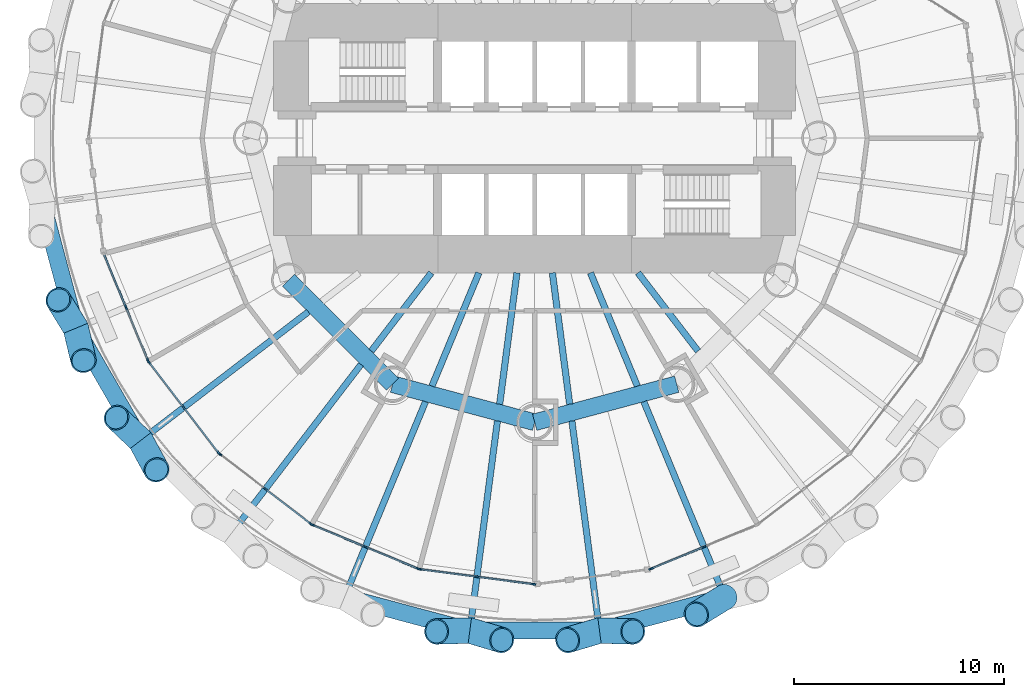
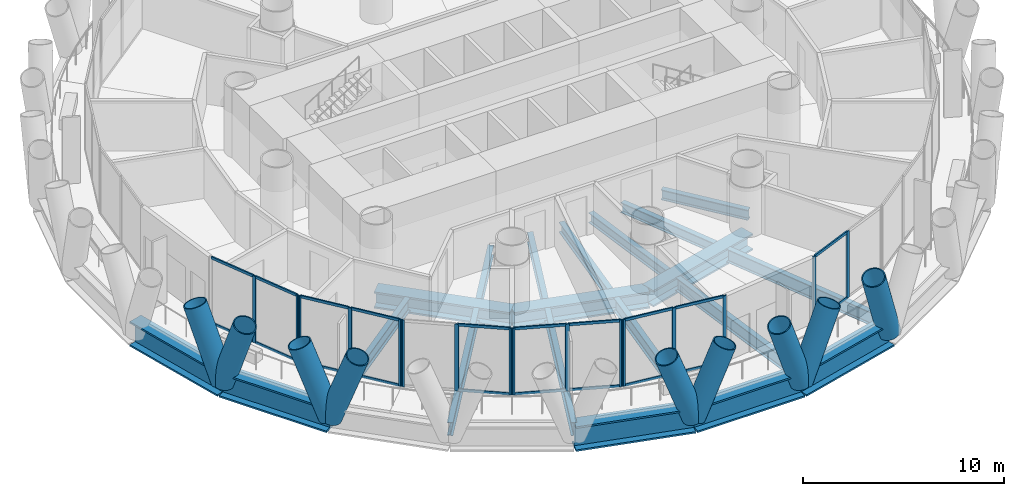
# One storey, part 2 of 15: 45 members, 20 beams, 6 elements without a shape of their own.
"""IFC4 building model written with IfcOpenShell, lengths in metres."""

from ifc_helpers import new_model, si_unit, direction, frame, origin, origin_2d, place, context, subcontext, project, spatial, rectangle, hollow_circle, i_section, extrude, material, material_profile, profile_set, type_object, element, aggregate, save


model = new_model("IFC4")

# Units and contexts
model_context = context("Model", 3, precision=1e-05, world=origin(), true_north=direction((0.0, 1.0)))
body_context = subcontext(model_context, "Body", "Model", "MODEL_VIEW")
ifc_project = project(units=[si_unit("LENGTHUNIT", "METRE"), si_unit("AREAUNIT", "SQUARE_METRE"), si_unit("VOLUMEUNIT", "CUBIC_METRE"), si_unit("PLANEANGLEUNIT", "RADIAN"), si_unit("MASSUNIT", "GRAM", prefix="KILO")], contexts=[model_context])

# Site, building, storey
site_placement = place(None, origin())
site = spatial("IfcSite", under=ifc_project, at=site_placement, CompositionType="ELEMENT")
building_placement = place(site_placement, origin())
building = spatial("IfcBuilding", under=site, at=building_placement, Name="Qaws Media Tower", CompositionType="ELEMENT")
storey_placement = place(building_placement, frame((0.0, 0.0, 34.39990234375)))
storey = spatial("IfcBuildingStorey", under=building, at=storey_placement, Name="L06", CompositionType="ELEMENT", Elevation=34.39990234375)

# Curtain wall, members
ifc_material_1 = material(Name="Aluminium and clear glass", Category="aluminium")
curtain_wall_type = type_object("IfcCurtainWallType", Name="Unitised curtain wall CW-A", PredefinedType="NOTDEFINED", material=ifc_material_1)
curtain_wall_1_placement = place(storey_placement, origin())
curtain_wall_1 = element("IfcCurtainWall", 1, at=curtain_wall_1_placement, inside=storey, type_object=curtain_wall_type, Name="CWA curtain wall L06-14", PredefinedType="NOTDEFINED")
ifc_material_2 = material(Name="Aluminium mullion", Category="aluminium")
ifc_material_profile_1 = material_profile(ifc_material_2, rectangle(XDim=0.080078125, YDim=0.199951171875, at=origin_2d()), Name="80x200")
ifc_profile_set_1 = profile_set([ifc_material_profile_1], Name="Aluminium mullion")
member_type_1 = type_object("IfcMemberType", Name="Curtain wall mullion 80x200", PredefinedType="MULLION", material=ifc_profile_set_1)
member_1_placement = place(storey_placement, frame((40.581298828125, 41.95654296875, 0.0), z_axis=(0.0, 0.0, 1.0), x_axis=(0.923879523321, 0.382683454553, 0.0)))
member_1 = element("IfcMember", 2, at=member_1_placement, type_object=member_type_1, Name="CWA mullion 2", PredefinedType="MULLION", context=body_context, shape_type="SweptSolid", body=[
    extrude(rectangle(XDim=0.080078125, YDim=0.199951171875, at=origin_2d()), origin(), (0.0, 0.0, 1.0), 4.0400390625),
])
member_2_placement = place(storey_placement, frame((41.625, 39.43701171875, 0.0), z_axis=(0.0, 0.0, 1.0), x_axis=(0.923879523321, 0.382683454553, 0.0)))
member_2 = element("IfcMember", 3, at=member_2_placement, type_object=member_type_1, Name="CWA mullion 3", PredefinedType="MULLION", context=body_context, shape_type="SweptSolid", body=[
    extrude(rectangle(XDim=0.080078125, YDim=0.199951171875, at=origin_2d()), origin(), (0.0, 0.0, 1.0), 4.0400390625),
])

curtain_wall_2_placement = place(storey_placement, origin())
curtain_wall_2 = element("IfcCurtainWall", 4, at=curtain_wall_2_placement, inside=storey, type_object=curtain_wall_type, Name="CWA curtain wall L06-15", PredefinedType="NOTDEFINED")
member_3_placement = place(storey_placement, frame((41.66455078125, 39.3681640625, 0.0), z_axis=(0.0, 0.0, 1.0), x_axis=(0.793353338751, 0.608761431016, 0.0)))
member_3 = element("IfcMember", 5, at=member_3_placement, type_object=member_type_1, Name="CWA mullion 1", PredefinedType="MULLION", context=body_context, shape_type="SweptSolid", body=[
    extrude(rectangle(XDim=0.080078125, YDim=0.199951171875, at=origin_2d()), origin(), (0.0, 0.0, 1.0), 4.0400390625),
])
member_4_placement = place(storey_placement, frame((43.32470703125, 37.20458984375, 0.0), z_axis=(0.0, 0.0, 1.0), x_axis=(0.793353338751, 0.608761431016, 0.0)))
member_4 = element("IfcMember", 6, at=member_4_placement, type_object=member_type_1, Name="CWA mullion 2", PredefinedType="MULLION", context=body_context, shape_type="SweptSolid", body=[
    extrude(rectangle(XDim=0.080078125, YDim=0.199951171875, at=origin_2d()), origin(), (0.0, 0.0, 1.0), 4.0400390625),
])
member_5_placement = place(storey_placement, frame((44.985107421875, 35.041015625, 0.0), z_axis=(0.0, 0.0, 1.0), x_axis=(0.793353338751, 0.608761431016, 0.0)))
member_5 = element("IfcMember", 7, at=member_5_placement, type_object=member_type_1, Name="CWA mullion 3", PredefinedType="MULLION", context=body_context, shape_type="SweptSolid", body=[
    extrude(rectangle(XDim=0.080078125, YDim=0.199951171875, at=origin_2d()), origin(), (0.0, 0.0, 1.0), 4.0400390625),
])

curtain_wall_3_placement = place(storey_placement, origin())
curtain_wall_3 = element("IfcCurtainWall", 8, at=curtain_wall_3_placement, inside=storey, type_object=curtain_wall_type, Name="CWA curtain wall L06-16", PredefinedType="NOTDEFINED")
member_6_placement = place(storey_placement, frame((45.041015625, 34.985107421875, 0.0), z_axis=(0.0, 0.0, 1.0), x_axis=(0.608761431016, 0.793353338751, 0.0)))
member_6 = element("IfcMember", 9, at=member_6_placement, type_object=member_type_1, Name="CWA mullion 1", PredefinedType="MULLION", context=body_context, shape_type="SweptSolid", body=[
    extrude(rectangle(XDim=0.080078125, YDim=0.199951171875, at=origin_2d()), origin(), (0.0, 0.0, 1.0), 4.0400390625),
])
member_7_placement = place(storey_placement, frame((47.20458984375, 33.32470703125, 0.0), z_axis=(0.0, 0.0, 1.0), x_axis=(0.608761431016, 0.793353338751, 0.0)))
member_7 = element("IfcMember", 10, at=member_7_placement, type_object=member_type_1, Name="CWA mullion 2", PredefinedType="MULLION", context=body_context, shape_type="SweptSolid", body=[
    extrude(rectangle(XDim=0.080078125, YDim=0.199951171875, at=origin_2d()), origin(), (0.0, 0.0, 1.0), 4.0400390625),
])
member_8_placement = place(storey_placement, frame((49.3681640625, 31.66455078125, 0.0), z_axis=(0.0, 0.0, 1.0), x_axis=(0.608761431016, 0.793353338751, 0.0)))
member_8 = element("IfcMember", 11, at=member_8_placement, type_object=member_type_1, Name="CWA mullion 3", PredefinedType="MULLION", context=body_context, shape_type="SweptSolid", body=[
    extrude(rectangle(XDim=0.080078125, YDim=0.199951171875, at=origin_2d()), origin(), (0.0, 0.0, 1.0), 4.0400390625),
])

curtain_wall_4_placement = place(storey_placement, origin())
curtain_wall_4 = element("IfcCurtainWall", 12, at=curtain_wall_4_placement, inside=storey, type_object=curtain_wall_type, Name="CWA curtain wall L06-17", PredefinedType="NOTDEFINED")
member_9_placement = place(storey_placement, frame((49.43701171875, 31.625, 0.0), z_axis=(0.0, 0.0, 1.0), x_axis=(0.382683454553, 0.923879523321, 0.0)))
member_9 = element("IfcMember", 13, at=member_9_placement, type_object=member_type_1, Name="CWA mullion 1", PredefinedType="MULLION", context=body_context, shape_type="SweptSolid", body=[
    extrude(rectangle(XDim=0.080078125, YDim=0.199951171875, at=origin_2d()), origin(), (0.0, 0.0, 1.0), 4.0400390625),
])
member_10_placement = place(storey_placement, frame((51.95654296875, 30.581298828125, 0.0), z_axis=(0.0, 0.0, 1.0), x_axis=(0.382683454553, 0.923879523321, 0.0)))
member_10 = element("IfcMember", 14, at=member_10_placement, type_object=member_type_1, Name="CWA mullion 2", PredefinedType="MULLION", context=body_context, shape_type="SweptSolid", body=[
    extrude(rectangle(XDim=0.080078125, YDim=0.199951171875, at=origin_2d()), origin(), (0.0, 0.0, 1.0), 4.0400390625),
])
member_11_placement = place(storey_placement, frame((54.47607421875, 29.53759765625, 0.0), z_axis=(0.0, 0.0, 1.0), x_axis=(0.382683454553, 0.923879523321, 0.0)))
member_11 = element("IfcMember", 15, at=member_11_placement, type_object=member_type_1, Name="CWA mullion 3", PredefinedType="MULLION", context=body_context, shape_type="SweptSolid", body=[
    extrude(rectangle(XDim=0.080078125, YDim=0.199951171875, at=origin_2d()), origin(), (0.0, 0.0, 1.0), 4.0400390625),
])

curtain_wall_5_placement = place(storey_placement, origin())
curtain_wall_5 = element("IfcCurtainWall", 16, at=curtain_wall_5_placement, inside=storey, type_object=curtain_wall_type, Name="CWA curtain wall L06-18", PredefinedType="NOTDEFINED")
member_12_placement = place(storey_placement, frame((54.552734375, 29.51708984375, 0.0), z_axis=(0.0, 0.0, 1.0), x_axis=(0.130526100786, 0.991444873411, 0.0)))
member_12 = element("IfcMember", 17, at=member_12_placement, type_object=member_type_1, Name="CWA mullion 1", PredefinedType="MULLION", context=body_context, shape_type="SweptSolid", body=[
    extrude(rectangle(XDim=0.080078125, YDim=0.199951171875, at=origin_2d()), origin(), (0.0, 0.0, 1.0), 4.0400390625),
])
member_13_placement = place(storey_placement, frame((57.256591796875, 29.1611328125, 0.0), z_axis=(0.0, 0.0, 1.0), x_axis=(0.130526100786, 0.991444873411, 0.0)))
member_13 = element("IfcMember", 18, at=member_13_placement, type_object=member_type_1, Name="CWA mullion 2", PredefinedType="MULLION", context=body_context, shape_type="SweptSolid", body=[
    extrude(rectangle(XDim=0.080078125, YDim=0.199951171875, at=origin_2d()), origin(), (0.0, 0.0, 1.0), 4.0400390625),
])
member_14_placement = place(storey_placement, frame((59.96044921875, 28.80517578125, 0.0), z_axis=(0.0, 0.0, 1.0), x_axis=(0.130526100786, 0.991444873411, 0.0)))
member_14 = element("IfcMember", 19, at=member_14_placement, type_object=member_type_1, Name="CWA mullion 3", PredefinedType="MULLION", context=body_context, shape_type="SweptSolid", body=[
    extrude(rectangle(XDim=0.080078125, YDim=0.199951171875, at=origin_2d()), origin(), (0.0, 0.0, 1.0), 4.0400390625),
])

curtain_wall_6_placement = place(storey_placement, origin())
curtain_wall_6 = element("IfcCurtainWall", 20, at=curtain_wall_6_placement, inside=storey, type_object=curtain_wall_type, Name="CWA curtain wall L06-20", PredefinedType="NOTDEFINED")
member_15_placement = place(storey_placement, frame((65.52392578125, 29.53759765625, 0.0), z_axis=(0.0, 0.0, 1.0), x_axis=(-0.382683454553, 0.923879523321, 0.0)))
member_15 = element("IfcMember", 21, at=member_15_placement, type_object=member_type_1, Name="CWA mullion 1", PredefinedType="MULLION", context=body_context, shape_type="SweptSolid", body=[
    extrude(rectangle(XDim=0.080078125, YDim=0.199951171875, at=origin_2d()), origin(), (0.0, 0.0, 1.0), 4.0400390625),
])
member_16_placement = place(storey_placement, frame((68.04345703125, 30.581298828125, 0.0), z_axis=(0.0, 0.0, 1.0), x_axis=(-0.382683454553, 0.923879523321, 0.0)))
member_16 = element("IfcMember", 22, at=member_16_placement, type_object=member_type_1, Name="CWA mullion 2", PredefinedType="MULLION", context=body_context, shape_type="SweptSolid", body=[
    extrude(rectangle(XDim=0.080078125, YDim=0.199951171875, at=origin_2d()), origin(), (0.0, 0.0, 1.0), 4.0400390625),
])

# Member
ifc_material_3 = material(Name="Aluminium transom", Category="aluminium")
ifc_material_profile_2 = material_profile(ifc_material_3, rectangle(XDim=0.080078125, YDim=0.159912109375, at=origin_2d()), Name="80x160")
ifc_profile_set_2 = profile_set([ifc_material_profile_2], Name="Aluminium transom")
member_type_2 = type_object("IfcMemberType", Name="Curtain wall transom 80x160", PredefinedType="USERDEFINED", material=ifc_profile_set_2)
member_17_placement = place(storey_placement, frame((39.552978515625, 44.439208984375, 0.0400390625), z_axis=(0.38263687271, -0.923898816777, 0.0), x_axis=(0.923898816777, 0.38263687271, 0.0)))
member_17 = element("IfcMember", 23, at=member_17_placement, type_object=member_type_2, Name="CWA transom 1.1", ObjectType="TRANSOM", PredefinedType="USERDEFINED", context=body_context, shape_type="SweptSolid", body=[
    extrude(rectangle(XDim=0.080078125, YDim=0.159912109375, at=origin_2d()), origin(), (0.0, 0.0, 1.0), 2.647216796875),
])

member_18_placement = place(storey_placement, frame((39.552978515625, 44.439208984375, 4.0), z_axis=(0.38263687271, -0.923898816777, 0.0), x_axis=(0.923898816777, 0.38263687271, 0.0)))
member_18 = element("IfcMember", 24, at=member_18_placement, type_object=member_type_2, Name="CWA transom 1.2", ObjectType="TRANSOM", PredefinedType="USERDEFINED", context=body_context, shape_type="SweptSolid", body=[
    extrude(rectangle(XDim=0.080078125, YDim=0.159912109375, at=origin_2d()), origin(), (0.0, 0.0, 1.0), 2.647216796875),
])

member_19_placement = place(storey_placement, frame((40.5966796875, 41.919677734375, 0.0400390625), z_axis=(0.38263687271, -0.923898816777, 0.0), x_axis=(0.923898816777, 0.38263687271, 0.0)))
member_19 = element("IfcMember", 25, at=member_19_placement, type_object=member_type_2, Name="CWA transom 2.1", ObjectType="TRANSOM", PredefinedType="USERDEFINED", context=body_context, shape_type="SweptSolid", body=[
    extrude(rectangle(XDim=0.080078125, YDim=0.159912109375, at=origin_2d()), origin(), (0.0, 0.0, 1.0), 2.647216796875),
])

member_20_placement = place(storey_placement, frame((40.5966796875, 41.919677734375, 4.0), z_axis=(0.38263687271, -0.923898816777, 0.0), x_axis=(0.923898816777, 0.38263687271, 0.0)))
member_20 = element("IfcMember", 26, at=member_20_placement, type_object=member_type_2, Name="CWA transom 2.2", ObjectType="TRANSOM", PredefinedType="USERDEFINED", context=body_context, shape_type="SweptSolid", body=[
    extrude(rectangle(XDim=0.080078125, YDim=0.159912109375, at=origin_2d()), origin(), (0.0, 0.0, 1.0), 2.647216796875),
])

aggregate(curtain_wall_1, [member_1, member_2, member_17, member_18, member_19, member_20])

member_21_placement = place(storey_placement, frame((41.68896484375, 39.33642578125, 0.0400390625), z_axis=(0.608787739029, -0.793333151209, 0.0), x_axis=(0.793333151209, 0.608787739029, 0.0)))
member_21 = element("IfcMember", 27, at=member_21_placement, type_object=member_type_2, Name="CWA transom 1.1", ObjectType="TRANSOM", PredefinedType="USERDEFINED", context=body_context, shape_type="SweptSolid", body=[
    extrude(rectangle(XDim=0.080078125, YDim=0.159912109375, at=origin_2d()), origin(), (0.0, 0.0, 1.0), 2.647216796875),
])

member_22_placement = place(storey_placement, frame((41.68896484375, 39.33642578125, 4.0), z_axis=(0.608787739029, -0.793333151209, 0.0), x_axis=(0.793333151209, 0.608787739029, 0.0)))
member_22 = element("IfcMember", 28, at=member_22_placement, type_object=member_type_2, Name="CWA transom 1.2", ObjectType="TRANSOM", PredefinedType="USERDEFINED", context=body_context, shape_type="SweptSolid", body=[
    extrude(rectangle(XDim=0.080078125, YDim=0.159912109375, at=origin_2d()), origin(), (0.0, 0.0, 1.0), 2.647216796875),
])

member_23_placement = place(storey_placement, frame((43.34912109375, 37.1728515625, 0.0400390625), z_axis=(0.608787739029, -0.793333151209, 0.0), x_axis=(0.793333151209, 0.608787739029, 0.0)))
member_23 = element("IfcMember", 29, at=member_23_placement, type_object=member_type_2, Name="CWA transom 2.1", ObjectType="TRANSOM", PredefinedType="USERDEFINED", context=body_context, shape_type="SweptSolid", body=[
    extrude(rectangle(XDim=0.080078125, YDim=0.159912109375, at=origin_2d()), origin(), (0.0, 0.0, 1.0), 2.647216796875),
])

member_24_placement = place(storey_placement, frame((43.34912109375, 37.1728515625, 4.0), z_axis=(0.608787739029, -0.793333151209, 0.0), x_axis=(0.793333151209, 0.608787739029, 0.0)))
member_24 = element("IfcMember", 30, at=member_24_placement, type_object=member_type_2, Name="CWA transom 2.2", ObjectType="TRANSOM", PredefinedType="USERDEFINED", context=body_context, shape_type="SweptSolid", body=[
    extrude(rectangle(XDim=0.080078125, YDim=0.159912109375, at=origin_2d()), origin(), (0.0, 0.0, 1.0), 2.647216796875),
])

aggregate(curtain_wall_2, [member_3, member_4, member_5, member_21, member_22, member_23, member_24])

member_25_placement = place(storey_placement, frame((47.236328125, 33.300537109375, 0.0400390625), z_axis=(0.793333151209, -0.608787739029, 0.0), x_axis=(0.608787739029, 0.793333151209, 0.0)))
member_25 = element("IfcMember", 31, at=member_25_placement, type_object=member_type_2, Name="CWA transom 2.1", ObjectType="TRANSOM", PredefinedType="USERDEFINED", context=body_context, shape_type="SweptSolid", body=[
    extrude(rectangle(XDim=0.080078125, YDim=0.159912109375, at=origin_2d()), origin(), (0.0, 0.0, 1.0), 2.647216796875),
])

member_26_placement = place(storey_placement, frame((47.236328125, 33.300537109375, 4.0), z_axis=(0.793333151209, -0.608787739029, 0.0), x_axis=(0.608787739029, 0.793333151209, 0.0)))
member_26 = element("IfcMember", 32, at=member_26_placement, type_object=member_type_2, Name="CWA transom 2.2", ObjectType="TRANSOM", PredefinedType="USERDEFINED", context=body_context, shape_type="SweptSolid", body=[
    extrude(rectangle(XDim=0.080078125, YDim=0.159912109375, at=origin_2d()), origin(), (0.0, 0.0, 1.0), 2.647216796875),
])

aggregate(curtain_wall_3, [member_6, member_7, member_8, member_25, member_26])

member_27_placement = place(storey_placement, frame((49.473876953125, 31.609619140625, 0.0400390625), z_axis=(0.923898816777, -0.38263687271, 0.0), x_axis=(0.38263687271, 0.923898816777, 0.0)))
member_27 = element("IfcMember", 33, at=member_27_placement, type_object=member_type_2, Name="CWA transom 1.1", ObjectType="TRANSOM", PredefinedType="USERDEFINED", context=body_context, shape_type="SweptSolid", body=[
    extrude(rectangle(XDim=0.080078125, YDim=0.159912109375, at=origin_2d()), origin(), (0.0, 0.0, 1.0), 2.647216796875),
])

member_28_placement = place(storey_placement, frame((49.473876953125, 31.609619140625, 4.0), z_axis=(0.923898816777, -0.38263687271, 0.0), x_axis=(0.38263687271, 0.923898816777, 0.0)))
member_28 = element("IfcMember", 34, at=member_28_placement, type_object=member_type_2, Name="CWA transom 1.2", ObjectType="TRANSOM", PredefinedType="USERDEFINED", context=body_context, shape_type="SweptSolid", body=[
    extrude(rectangle(XDim=0.080078125, YDim=0.159912109375, at=origin_2d()), origin(), (0.0, 0.0, 1.0), 2.647216796875),
])

member_29_placement = place(storey_placement, frame((51.993408203125, 30.56591796875, 0.0400390625), z_axis=(0.923898816777, -0.38263687271, 0.0), x_axis=(0.38263687271, 0.923898816777, 0.0)))
member_29 = element("IfcMember", 35, at=member_29_placement, type_object=member_type_2, Name="CWA transom 2.1", ObjectType="TRANSOM", PredefinedType="USERDEFINED", context=body_context, shape_type="SweptSolid", body=[
    extrude(rectangle(XDim=0.080078125, YDim=0.159912109375, at=origin_2d()), origin(), (0.0, 0.0, 1.0), 2.647216796875),
])

member_30_placement = place(storey_placement, frame((51.993408203125, 30.56591796875, 4.0), z_axis=(0.923898816777, -0.38263687271, 0.0), x_axis=(0.38263687271, 0.923898816777, 0.0)))
member_30 = element("IfcMember", 36, at=member_30_placement, type_object=member_type_2, Name="CWA transom 2.2", ObjectType="TRANSOM", PredefinedType="USERDEFINED", context=body_context, shape_type="SweptSolid", body=[
    extrude(rectangle(XDim=0.080078125, YDim=0.159912109375, at=origin_2d()), origin(), (0.0, 0.0, 1.0), 2.647216796875),
])

aggregate(curtain_wall_4, [member_9, member_10, member_11, member_27, member_28, member_29, member_30])

member_31_placement = place(storey_placement, frame((54.59228515625, 29.511962890625, 0.0400390625), z_axis=(0.991448016129, -0.130502227239, 0.0), x_axis=(0.130502227239, 0.991448016129, 0.0)))
member_31 = element("IfcMember", 37, at=member_31_placement, type_object=member_type_2, Name="CWA transom 1.1", ObjectType="TRANSOM", PredefinedType="USERDEFINED", context=body_context, shape_type="SweptSolid", body=[
    extrude(rectangle(XDim=0.080078125, YDim=0.159912109375, at=origin_2d()), origin(), (0.0, 0.0, 1.0), 2.647216796875),
])

member_32_placement = place(storey_placement, frame((54.59228515625, 29.511962890625, 4.0), z_axis=(0.991448016129, -0.130502227239, 0.0), x_axis=(0.130502227239, 0.991448016129, 0.0)))
member_32 = element("IfcMember", 38, at=member_32_placement, type_object=member_type_2, Name="CWA transom 1.2", ObjectType="TRANSOM", PredefinedType="USERDEFINED", context=body_context, shape_type="SweptSolid", body=[
    extrude(rectangle(XDim=0.080078125, YDim=0.159912109375, at=origin_2d()), origin(), (0.0, 0.0, 1.0), 2.647216796875),
])

member_33_placement = place(storey_placement, frame((57.296142578125, 29.156005859375, 0.0400390625), z_axis=(0.991448016129, -0.130502227239, 0.0), x_axis=(0.130502227239, 0.991448016129, 0.0)))
member_33 = element("IfcMember", 39, at=member_33_placement, type_object=member_type_2, Name="CWA transom 2.1", ObjectType="TRANSOM", PredefinedType="USERDEFINED", context=body_context, shape_type="SweptSolid", body=[
    extrude(rectangle(XDim=0.080078125, YDim=0.159912109375, at=origin_2d()), origin(), (0.0, 0.0, 1.0), 2.647216796875),
])

member_34_placement = place(storey_placement, frame((57.296142578125, 29.156005859375, 4.0), z_axis=(0.991448016129, -0.130502227239, 0.0), x_axis=(0.130502227239, 0.991448016129, 0.0)))
member_34 = element("IfcMember", 40, at=member_34_placement, type_object=member_type_2, Name="CWA transom 2.2", ObjectType="TRANSOM", PredefinedType="USERDEFINED", context=body_context, shape_type="SweptSolid", body=[
    extrude(rectangle(XDim=0.080078125, YDim=0.159912109375, at=origin_2d()), origin(), (0.0, 0.0, 1.0), 2.647216796875),
])

aggregate(curtain_wall_5, [member_12, member_13, member_14, member_31, member_32, member_33, member_34])

member_35_placement = place(storey_placement, frame((65.560791015625, 29.552978515625, 0.0400390625), z_axis=(0.923898816777, 0.38263687271, 0.0), x_axis=(-0.38263687271, 0.923898816777, 0.0)))
member_35 = element("IfcMember", 41, at=member_35_placement, type_object=member_type_2, Name="CWA transom 1.1", ObjectType="TRANSOM", PredefinedType="USERDEFINED", context=body_context, shape_type="SweptSolid", body=[
    extrude(rectangle(XDim=0.080078125, YDim=0.159912109375, at=origin_2d()), origin(), (0.0, 0.0, 1.0), 2.647216796875),
])

member_36_placement = place(storey_placement, frame((65.560791015625, 29.552978515625, 4.0), z_axis=(0.923898816777, 0.38263687271, 0.0), x_axis=(-0.38263687271, 0.923898816777, 0.0)))
member_36 = element("IfcMember", 42, at=member_36_placement, type_object=member_type_2, Name="CWA transom 1.2", ObjectType="TRANSOM", PredefinedType="USERDEFINED", context=body_context, shape_type="SweptSolid", body=[
    extrude(rectangle(XDim=0.080078125, YDim=0.159912109375, at=origin_2d()), origin(), (0.0, 0.0, 1.0), 2.647216796875),
])

aggregate(curtain_wall_6, [member_15, member_16, member_35, member_36])

# Members
ifc_material_4 = material(Name="Steel S460", Category="steel")
ifc_material_profile_3 = material_profile(ifc_material_4, hollow_circle(Radius=0.609619140625, WallThickness=0.06005859375, at=origin_2d()), Name="CHS 1219x60")
ifc_profile_set_3 = profile_set([ifc_material_profile_3], Name="Steel S460")
member_type_3 = type_object("IfcMemberType", Name="Diagrid member CHS 1219x60", PredefinedType="USERDEFINED", material=ifc_profile_set_3)
for number, where, z_axis, x_axis, name in (
    (43, (38.196533203125, 40.96875, -0.909912109375), (0.082026460481, -0.343009853976, 0.935743501103), (0.972577374839, 0.232579556178, 0.0), "DG1 diagrid L06 A14"),
    (44, (38.196533203125, 40.96875, -0.909912109375), (-0.184507437707, 0.300531719733, 0.935755144717), (-0.85220863007, -0.523202112796, 0.0), "DG1 diagrid L06 B14"),
    (45, (41.27685546875, 35.63330078125, -0.909912109375), (0.168025631543, -0.310050534086, 0.935754269805), (0.879195053655, 0.476462021182, 0.0), "DG1 diagrid L06 A15"),
    (46, (41.27685546875, 35.63330078125, -0.909912109375), (-0.255983134408, 0.24254755553, 0.935758151557), (-0.687800265926, -0.725899989111, 0.0), "DG1 diagrid L06 B15"),
    (47, (56.919677734375, 26.601806640625, -0.909912109375), (0.338014682134, -0.100414403479, 0.935768679876), (0.284771064852, 0.958595556334, 0.0), "DG1 diagrid L06 A18"),
    (48, (56.919677734375, 26.601806640625, -0.909912109375), (-0.352532001786, -0.009464676487, 0.935751894263), (0.026838038008, -0.999639794984, 0.0), "DG1 diagrid L06 B18"),
    (49, (63.080322265625, 26.601806640625, -0.909912109375), (0.352532001786, -0.009464676487, 0.935751894263), (0.026838038008, 0.999639794984, 0.0), "DG1 diagrid L06 A19"),
    (50, (63.080322265625, 26.601806640625, -0.909912109375), (-0.338014682134, -0.100414403479, 0.935768679876), (0.284771064852, -0.958595556334, 0.0), "DG1 diagrid L06 B19"),
    (51, (69.03125, 28.196533203125, -0.909912109375), (-0.300531719733, -0.184507437707, 0.935755144717), (0.523202112796, -0.85220863007, 0.0), "DG1 diagrid L06 B20"),
):
    element("IfcMember", number, at=place(storey_placement, frame(where, z_axis=z_axis, x_axis=x_axis)), inside=storey, type_object=member_type_3, Name=name, ObjectType="DIAGRID", PredefinedType="USERDEFINED", context=body_context, shape_type="SweptSolid", body=[
        extrude(hollow_circle(Radius=0.609619140625, WallThickness=0.06005859375, at=origin_2d()), origin(), (0.0, 0.0, 1.0), 4.48828125),
    ])

# Beams
ifc_material_5 = material(Name="Steel S460", Category="steel")
ifc_material_profile_4 = material_profile(ifc_material_5, i_section(OverallWidth=0.800048828125, OverallDepth=1.5, WebThickness=0.0400390625, FlangeThickness=0.10009765625, at=origin_2d()), Name="PG 1500x800")
ifc_profile_set_4 = profile_set([ifc_material_profile_4], Name="Steel S460")
beam_type_1 = type_object("IfcBeamType", Name="Edge ring beam PG 1500x800", PredefinedType="BEAM", material=ifc_profile_set_4)
for number, where, z_axis, x_axis, name in (
    (52, (36.601806640625, 46.919677734375, -0.909912109375), (0.258846347058, -0.965918510339, 0.0), (0.965918510339, 0.258846347058, 0.0), "RB7 edge ring beam L06-13"),
    (53, (38.196533203125, 40.96875, -0.909912109375), (0.499987731599, -0.866032486833, 0.0), (0.866032486833, 0.499987731599, 0.0), "RB7 edge ring beam L06-14"),
    (54, (50.96875, 28.196533203125, -0.909912109375), (0.965918510339, -0.258846347058, 0.0), (0.258846347058, 0.965918510339, 0.0), "RB7 edge ring beam L06-17"),
):
    element("IfcBeam", number, at=place(storey_placement, frame(where, z_axis=z_axis, x_axis=x_axis)), inside=storey, type_object=beam_type_1, Name=name, PredefinedType="BEAM", context=body_context, shape_type="SweptSolid", body=[
        extrude(i_section(OverallWidth=0.800048828125, OverallDepth=1.5, WebThickness=0.0400390625, FlangeThickness=0.10009765625, at=origin_2d()), origin(), (0.0, 0.0, 1.0), 6.160888671875),
    ])
beam_1_placement = place(storey_placement, frame((56.919677734375, 26.601806640625, -0.909912109375), z_axis=(1.0, 0.0, 0.0), x_axis=(0.0, 1.0, 0.0)))
element("IfcBeam", 55, at=beam_1_placement, inside=storey, type_object=beam_type_1, Name="RB7 edge ring beam L06-18", PredefinedType="BEAM", context=body_context, shape_type="SweptSolid", body=[
    extrude(i_section(OverallWidth=0.800048828125, OverallDepth=1.5, WebThickness=0.0400390625, FlangeThickness=0.10009765625, at=origin_2d()), origin(), (0.0, 0.0, 1.0), 6.16064453125),
])
beam_2_placement = place(storey_placement, frame((63.080322265625, 26.601806640625, -0.909912109375), z_axis=(0.965918510339, 0.258846347058, 0.0), x_axis=(-0.258846347058, 0.965918510339, 0.0)))
element("IfcBeam", 56, at=beam_2_placement, inside=storey, type_object=beam_type_1, Name="RB7 edge ring beam L06-19", PredefinedType="BEAM", context=body_context, shape_type="SweptSolid", body=[
    extrude(i_section(OverallWidth=0.800048828125, OverallDepth=1.5, WebThickness=0.0400390625, FlangeThickness=0.10009765625, at=origin_2d()), origin(), (0.0, 0.0, 1.0), 6.160888671875),
])
ifc_material_6 = material(Name="Steel S460", Category="steel")
ifc_material_profile_5 = material_profile(ifc_material_6, i_section(OverallWidth=0.800048828125, OverallDepth=1.0, WebThickness=0.0400390625, FlangeThickness=0.10009765625, at=origin_2d()), Name="PG 1000x800")
ifc_profile_set_5 = profile_set([ifc_material_profile_5], Name="Steel S460")
beam_type_2 = type_object("IfcBeamType", Name="Inner ring girder PG 1000x800", PredefinedType="BEAM", material=ifc_profile_set_5)
beam_3_placement = place(storey_placement, frame((48.30859375, 43.25, -0.659912109375), z_axis=(0.707106781187, -0.707106781187, 0.0), x_axis=(0.707106781187, 0.707106781187, 0.0)))
element("IfcBeam", 57, at=beam_3_placement, inside=storey, type_object=beam_type_2, Name="B3 inner ring beam L06 I08-I09", PredefinedType="BEAM", context=body_context, shape_type="SweptSolid", body=[
    extrude(i_section(OverallWidth=0.800048828125, OverallDepth=1.0, WebThickness=0.0400390625, FlangeThickness=0.10009765625, at=origin_2d()), origin(), (0.0, 0.0, 1.0), 6.98828125),
])
for number, where, z_axis, x_axis, name in (
    (58, (53.25, 38.30859375, -0.659912109375), (0.965928090778, -0.258810593767, 0.0), (0.258810593767, 0.965928090778, 0.0), "B3 inner ring beam L06 I09-I10"),
    (59, (60.0, 36.5, -0.659912109375), (0.965928090778, 0.258810593767, 0.0), (-0.258810593767, 0.965928090778, 0.0), "B3 inner ring beam L06 I10-I11"),
):
    element("IfcBeam", number, at=place(storey_placement, frame(where, z_axis=z_axis, x_axis=x_axis)), inside=storey, type_object=beam_type_2, Name=name, PredefinedType="BEAM", context=body_context, shape_type="SweptSolid", body=[
        extrude(i_section(OverallWidth=0.800048828125, OverallDepth=1.0, WebThickness=0.0400390625, FlangeThickness=0.10009765625, at=origin_2d()), origin(), (0.0, 0.0, 1.0), 6.988037109375),
    ])
ifc_material_7 = material(Name="Steel S355", Category="steel")
ifc_material_profile_6 = material_profile(ifc_material_7, i_section(OverallWidth=0.304931640625, OverallDepth=0.6201171875, WebThickness=0.02099609375, FlangeThickness=0.0400390625, FilletRadius=0.027099609375, at=origin_2d()), Name="HE 600 M")
ifc_profile_set_6 = profile_set([ifc_material_profile_6], Name="Steel S355")
beam_type_3 = type_object("IfcBeamType", Name="Radial beam HE 600 M, core side", PredefinedType="BEAM", material=ifc_profile_set_6)
beam_4_placement = place(storey_placement, frame((55.089111328125, 43.60009765625, -0.469970703125), z_axis=(-0.608765363283, -0.793350321401, 0.0), x_axis=(0.793350321401, -0.608765363283, 0.0)))
element("IfcBeam", 60, at=beam_4_placement, inside=storey, type_object=beam_type_3, Name="B2 radial beam L06 16", PredefinedType="BEAM", context=body_context, shape_type="SweptSolid", body=[
    extrude(i_section(OverallWidth=0.304931640625, OverallDepth=0.6201171875, WebThickness=0.02099609375, FlangeThickness=0.0400390625, FilletRadius=0.027099609375, at=origin_2d()), origin(), (0.0, 0.0, 1.0), 4.68212890625),
])
beam_5_placement = place(storey_placement, frame((57.34912109375, 43.60009765625, -0.469970703125), z_axis=(-0.38269993354, -0.923872697328, 0.0), x_axis=(0.923872697328, -0.38269993354, 0.0)))
element("IfcBeam", 61, at=beam_5_placement, inside=storey, type_object=beam_type_3, Name="B2 radial beam L06 17", PredefinedType="BEAM", context=body_context, shape_type="SweptSolid", body=[
    extrude(i_section(OverallWidth=0.304931640625, OverallDepth=0.6201171875, WebThickness=0.02099609375, FlangeThickness=0.0400390625, FilletRadius=0.027099609375, at=origin_2d()), origin(), (0.0, 0.0, 1.0), 5.82177734375),
])
for number, where, z_axis, x_axis, name in (
    (62, (59.157470703125, 43.60009765625, -0.469970703125), (-0.130529769311, -0.991444390434, 0.0), (0.991444390434, -0.130529769311, 0.0), "B2 radial beam L06 18"),
    (63, (60.842529296875, 43.60009765625, -0.469970703125), (0.130529769311, -0.991444390434, 0.0), (0.991444390434, 0.130529769311, 0.0), "B2 radial beam L06 19"),
):
    element("IfcBeam", number, at=place(storey_placement, frame(where, z_axis=z_axis, x_axis=x_axis)), inside=storey, type_object=beam_type_3, Name=name, PredefinedType="BEAM", context=body_context, shape_type="SweptSolid", body=[
        extrude(i_section(OverallWidth=0.304931640625, OverallDepth=0.6201171875, WebThickness=0.02099609375, FlangeThickness=0.0400390625, FilletRadius=0.027099609375, at=origin_2d()), origin(), (0.0, 0.0, 1.0), 6.2939453125),
    ])
beam_6_placement = place(storey_placement, frame((62.65087890625, 43.60009765625, -0.469970703125), z_axis=(0.38269993354, -0.923872697328, 0.0), x_axis=(0.923872697328, 0.38269993354, 0.0)))
element("IfcBeam", 64, at=beam_6_placement, inside=storey, type_object=beam_type_3, Name="B2 radial beam L06 20", PredefinedType="BEAM", context=body_context, shape_type="SweptSolid", body=[
    extrude(i_section(OverallWidth=0.304931640625, OverallDepth=0.6201171875, WebThickness=0.02099609375, FlangeThickness=0.0400390625, FilletRadius=0.027099609375, at=origin_2d()), origin(), (0.0, 0.0, 1.0), 5.82177734375),
])
beam_7_placement = place(storey_placement, frame((64.910888671875, 43.60009765625, -0.469970703125), z_axis=(0.608765363283, -0.793350321401, 0.0), x_axis=(0.793350321401, 0.608765363283, 0.0)))
element("IfcBeam", 65, at=beam_7_placement, inside=storey, type_object=beam_type_3, Name="B2 radial beam L06 21", PredefinedType="BEAM", context=body_context, shape_type="SweptSolid", body=[
    extrude(i_section(OverallWidth=0.304931640625, OverallDepth=0.6201171875, WebThickness=0.02099609375, FlangeThickness=0.0400390625, FilletRadius=0.027099609375, at=origin_2d()), origin(), (0.0, 0.0, 1.0), 4.68212890625),
])
ifc_material_8 = material(Name="Steel S355", Category="steel")
ifc_material_profile_7 = material_profile(ifc_material_8, i_section(OverallWidth=0.300048828125, OverallDepth=0.800048828125, WebThickness=0.017578125, FlangeThickness=0.032958984375, FilletRadius=0.030029296875, at=origin_2d()), Name="HE 800 B")
ifc_profile_set_7 = profile_set([ifc_material_profile_7], Name="Steel S355")
beam_type_4 = type_object("IfcBeamType", Name="Radial beam HE 800 B", PredefinedType="BEAM", material=ifc_profile_set_7)
for number, where, z_axis, x_axis, name in (
    (66, (49.245361328125, 41.74755859375, -0.559814453125), (-0.793362562269, -0.608749410505, 0.0), (0.608749410505, -0.793362562269, 0.0), "B1 radial beam L06 15"),
    (67, (51.74755859375, 39.245361328125, -0.559814453125), (-0.608749410505, -0.793362562269, 0.0), (0.793362562269, -0.608749410505, 0.0), "B1 radial beam L06 16"),
):
    element("IfcBeam", number, at=place(storey_placement, frame(where, z_axis=z_axis, x_axis=x_axis)), inside=storey, type_object=beam_type_4, Name=name, PredefinedType="BEAM", context=body_context, shape_type="SweptSolid", body=[
        extrude(i_section(OverallWidth=0.300048828125, OverallDepth=0.800048828125, WebThickness=0.017578125, FlangeThickness=0.032958984375, FilletRadius=0.030029296875, at=origin_2d()), origin(), (0.0, 0.0, 1.0), 10.0439453125),
    ])
beam_8_placement = place(storey_placement, frame((54.812255859375, 37.475830078125, -0.559814453125), z_axis=(-0.382674529894, -0.923883219985, 0.0), x_axis=(0.923883219985, -0.382674529894, 0.0)))
element("IfcBeam", 68, at=beam_8_placement, inside=storey, type_object=beam_type_4, Name="B1 radial beam L06 17", PredefinedType="BEAM", context=body_context, shape_type="SweptSolid", body=[
    extrude(i_section(OverallWidth=0.300048828125, OverallDepth=0.800048828125, WebThickness=0.017578125, FlangeThickness=0.032958984375, FilletRadius=0.030029296875, at=origin_2d()), origin(), (0.0, 0.0, 1.0), 10.043701171875),
])
for number, where, z_axis, x_axis, name in (
    (69, (58.230712890625, 36.56005859375, -0.559814453125), (-0.130526820019, -0.991444778722, 0.0), (0.991444778722, -0.130526820019, 0.0), "B1 radial beam L06 18"),
    (70, (61.769287109375, 36.56005859375, -0.559814453125), (0.130526820019, -0.991444778722, 0.0), (0.991444778722, 0.130526820019, 0.0), "B1 radial beam L06 19"),
):
    element("IfcBeam", number, at=place(storey_placement, frame(where, z_axis=z_axis, x_axis=x_axis)), inside=storey, type_object=beam_type_4, Name=name, PredefinedType="BEAM", context=body_context, shape_type="SweptSolid", body=[
        extrude(i_section(OverallWidth=0.300048828125, OverallDepth=0.800048828125, WebThickness=0.017578125, FlangeThickness=0.032958984375, FilletRadius=0.030029296875, at=origin_2d()), origin(), (0.0, 0.0, 1.0), 10.044189453125),
    ])
beam_9_placement = place(storey_placement, frame((65.187744140625, 37.475830078125, -0.559814453125), z_axis=(0.382674529894, -0.923883219985, 0.0), x_axis=(0.923883219985, 0.382674529894, 0.0)))
element("IfcBeam", 71, at=beam_9_placement, inside=storey, type_object=beam_type_4, Name="B1 radial beam L06 20", PredefinedType="BEAM", context=body_context, shape_type="SweptSolid", body=[
    extrude(i_section(OverallWidth=0.300048828125, OverallDepth=0.800048828125, WebThickness=0.017578125, FlangeThickness=0.032958984375, FilletRadius=0.030029296875, at=origin_2d()), origin(), (0.0, 0.0, 1.0), 10.043701171875),
])

save(model, "model.ifc")
